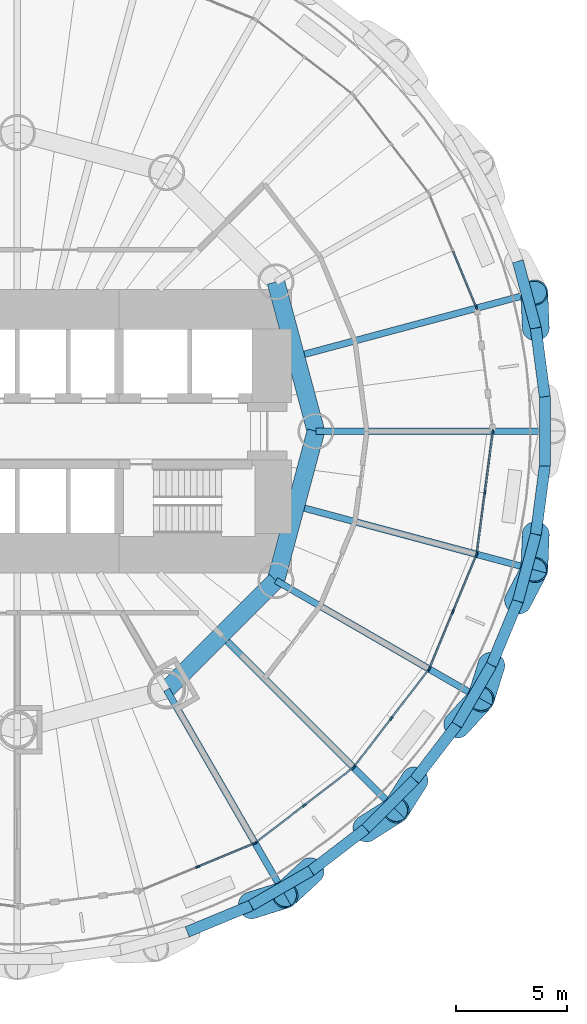
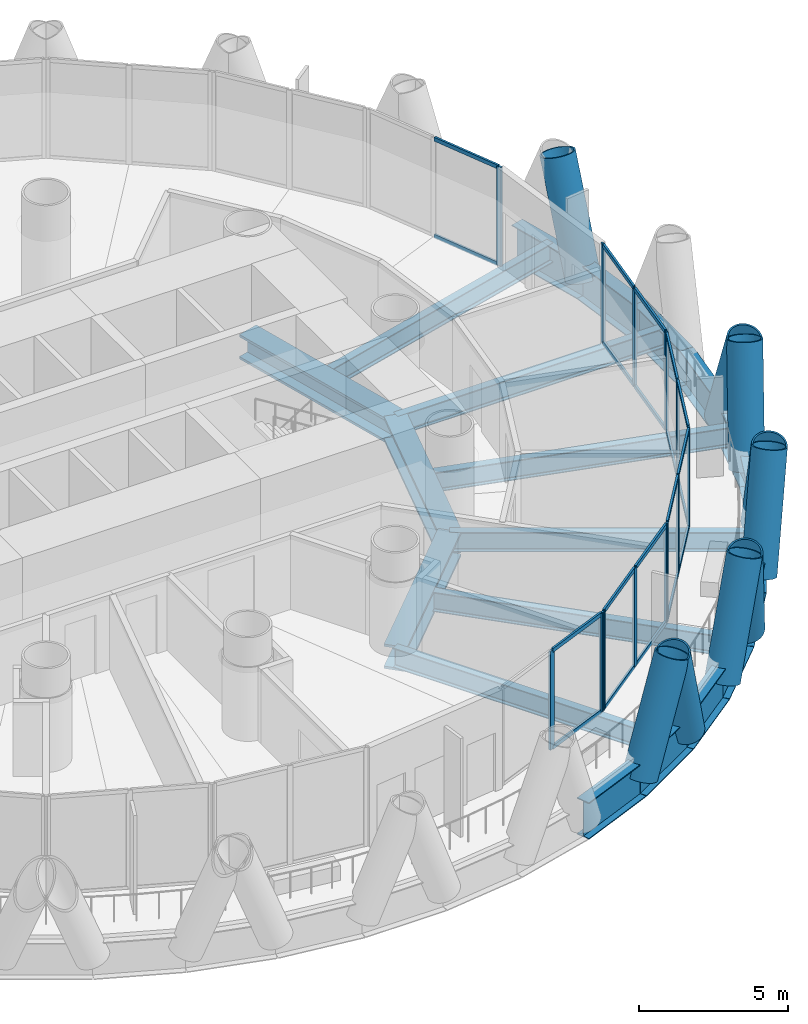
# One storey, part 4 of 16: 44 members, 21 beams, 6 elements without a shape of their own.
"""IFC4 building model written with IfcOpenShell, lengths in metres."""

import ifcopenshell
import ifcopenshell.guid

model = None  # the IFC model being written
_history = None  # IfcOwnerHistory: only IFC2X3 demands one
_inside = {}  # id of a spatial element -> (the spatial element, [elements in it])
_under = {}  # id of a project, library or spatial element -> (it, [spatial elements below it])
_declared = {}  # id of a project -> (the project, [libraries it declares])
_typed = {}  # id of a type object -> (the type object, [elements of that type])
_made_of = {}  # id of a material, layer set ... -> (it, [elements and type objects made of it])


def new_model(schema):
    """Start an empty IFC model of exactly this schema.

    Asked for "IFC4X3", IfcOpenShell would pick the latest addendum, in which some entities
    have other attributes; the version numbers below select the first issue.
    IFC2X3 requires an IfcOwnerHistory on every rooted entity: one is made here for all.
    """
    global model, _history
    if schema == "IFC4X3":
        model = ifcopenshell.file(schema_version=(4, 3, 0, 0))
    else:
        model = ifcopenshell.file(schema=schema)
    _inside.clear()
    _under.clear()
    _declared.clear()
    _typed.clear()
    _made_of.clear()
    _history = None
    if model.schema == "IFC2X3":
        org = make("IfcOrganization", Name="unknown")
        user = make(
            "IfcPersonAndOrganization",
            ThePerson=make("IfcPerson", FamilyName="unknown"),
            TheOrganization=org,
        )
        app = make(
            "IfcApplication",
            ApplicationDeveloper=org,
            Version="unknown",
            ApplicationFullName="unknown",
            ApplicationIdentifier="unknown",
        )
        _history = make(
            "IfcOwnerHistory",
            OwningUser=user,
            OwningApplication=app,
            ChangeAction="ADDED",
            CreationDate=0,
        )
    return model


def make(cls, **values):
    """One entity of the class cls with the attributes given. An attribute that is None is left unset."""
    return model.create_entity(
        cls, **{name: value for name, value in values.items() if value is not None}
    )


def rooted(cls, **values):
    """An entity with a GlobalId (a new one), such as an element, a storey or a relation."""
    return make(cls, GlobalId=ifcopenshell.guid.new(), OwnerHistory=_history, **values)


def si_unit(unit_type, name, prefix=None):
    """IfcSIUnit, for example si_unit("LENGTHUNIT", "METRE", prefix="MILLI")."""
    return make("IfcSIUnit", UnitType=unit_type, Prefix=prefix, Name=name)


def assignment(units):
    """IfcUnitAssignment: the units of a project."""
    return None if units is None else make("IfcUnitAssignment", Units=units)


def point(xyz):
    """IfcCartesianPoint."""
    return None if xyz is None else make("IfcCartesianPoint", Coordinates=xyz)


def direction(xyz):
    """IfcDirection."""
    return None if xyz is None else make("IfcDirection", DirectionRatios=xyz)


def frame(location, z_axis=None, x_axis=None):
    """IfcAxis2Placement3D, a coordinate frame: its origin and axes. An axis left out is left unset."""
    return make(
        "IfcAxis2Placement3D",
        Location=point(location),
        Axis=direction(z_axis),
        RefDirection=direction(x_axis),
    )


def frame_2d(location, x_axis=None):
    """IfcAxis2Placement2D, a coordinate frame in the plane: its origin and x axis."""
    return make(
        "IfcAxis2Placement2D", Location=point(location), RefDirection=direction(x_axis)
    )


def origin():
    """The frame at (0, 0, 0) with its axes left unset."""
    return frame((0.0, 0.0, 0.0))


def origin_2d():
    """The frame at (0, 0) in the plane with its x axis left unset."""
    return frame_2d((0.0, 0.0))


def place(relative_to, where):
    """IfcLocalPlacement: puts the frame where relative to a parent placement (None: the world)."""
    return make(
        "IfcLocalPlacement", PlacementRelTo=relative_to, RelativePlacement=where
    )


def context(
    kind, dimensions, precision=None, world=None, true_north=None, identifier=None
):
    """IfcGeometricRepresentationContext, for example the 3D "Model" context."""
    return make(
        "IfcGeometricRepresentationContext",
        ContextIdentifier=identifier,
        ContextType=kind,
        CoordinateSpaceDimension=dimensions,
        Precision=precision,
        WorldCoordinateSystem=world,
        TrueNorth=true_north,
    )


def subcontext(parent, identifier, kind, view, scale=None):
    """IfcGeometricRepresentationSubContext, for example "Body" below "Model"."""
    return make(
        "IfcGeometricRepresentationSubContext",
        ContextIdentifier=identifier,
        ContextType=kind,
        ParentContext=parent,
        TargetScale=scale,
        TargetView=view,
    )


def project(units=None, contexts=None):
    """IfcProject with its units and contexts."""
    return rooted(
        "IfcProject",
        Name="project",
        RepresentationContexts=contexts,
        UnitsInContext=assignment(units),
    )


def spatial(cls, under=None, at=None, **own):
    """A site, building, storey or space (cls), placed at a placement, below another one or the project."""
    s = rooted(cls, ObjectPlacement=at, **own)
    if under is not None:
        _under.setdefault(under.id(), (under, []))[1].append(s)
    return s


def profile(cls, at=None, kind="AREA", **sizes):
    """A parametric profile (cls). Its sizes go by their IFC names, for example OverallWidth=200.0."""
    return make(cls, ProfileType=kind, Position=at, **sizes)


def rectangle(**sizes):
    """IfcRectangleProfileDef."""
    return profile("IfcRectangleProfileDef", **sizes)


def hollow_circle(**sizes):
    """IfcCircleHollowProfileDef."""
    return profile("IfcCircleHollowProfileDef", **sizes)


def i_section(**sizes):
    """IfcIShapeProfileDef."""
    return profile("IfcIShapeProfileDef", **sizes)


def extrude(swept, where, along, depth):
    """IfcExtrudedAreaSolid: the profile swept, set in the frame where, extruded along a direction by depth."""
    return make(
        "IfcExtrudedAreaSolid",
        SweptArea=swept,
        Position=where,
        ExtrudedDirection=direction(along),
        Depth=depth,
    )


def shape(context_of_items, identifier, shape_type, items):
    """IfcShapeRepresentation: the items that make up one representation, for example the "Body"."""
    return make(
        "IfcShapeRepresentation",
        ContextOfItems=context_of_items,
        RepresentationIdentifier=identifier,
        RepresentationType=shape_type,
        Items=items,
    )


def material(Name=None, Category=None):
    """IfcMaterial."""
    return make("IfcMaterial", Name=Name, Category=Category)


def material_profile(
    of_material, cross_section, Name=None, Category=None, Priority=None
):
    """IfcMaterialProfile: a cross section and its material."""
    return make(
        "IfcMaterialProfile",
        Name=Name,
        Material=of_material,
        Profile=cross_section,
        Priority=Priority,
        Category=Category,
    )


def profile_set(profiles, Name=None, composite=None):
    """IfcMaterialProfileSet."""
    return make(
        "IfcMaterialProfileSet",
        Name=Name,
        MaterialProfiles=profiles,
        CompositeProfile=composite,
    )


def made_of(thing, what):
    """Note that an element or type object is made of a material, layer set ...; save() writes the relation."""
    if what is not None:
        _made_of.setdefault(what.id(), (what, []))[1].append(thing)
    return thing


def type_object(cls, material=None, **own):
    """A type object (cls), such as IfcWallType, which elements share."""
    return made_of(rooted(cls, **own), material)


def element(
    cls,
    number,
    at=None,
    inside=None,
    cuts=None,
    type_object=None,
    material=None,
    context=None,
    identifier="Body",
    shape_type=None,
    held_by="IfcProductDefinitionShape",
    body=None,
    shapes=None,
    **own,
):
    """One element of the class cls, such as IfcWall. Its Tag is "e" and its number.

    at: its placement. inside: the storey or other place that contains it. cuts: it is an
    opening in that element (IfcRelVoidsElement). A single representation is given by context,
    identifier, shape_type and body (its items); several are given by shapes. held_by: the class
    of the entity that holds the representations. save() writes the other relations.
    """
    e = rooted(cls, Tag="e%d" % number, ObjectPlacement=at, **own)
    if body is not None:
        shapes = [shape(context, identifier, shape_type, body)]
    if shapes is not None:
        e.Representation = make(held_by, Representations=shapes)
    if inside is not None:
        _inside.setdefault(inside.id(), (inside, []))[1].append(e)
    if cuts is not None:
        rooted(
            "IfcRelVoidsElement", RelatingBuildingElement=cuts, RelatedOpeningElement=e
        )
    if type_object is not None:
        _typed.setdefault(type_object.id(), (type_object, []))[1].append(e)
    return made_of(e, material)


def aggregate(whole, parts):
    """IfcRelAggregates: a whole, such as a stair, and the parts it consists of."""
    return rooted("IfcRelAggregates", RelatingObject=whole, RelatedObjects=parts)


def save(model, path):
    """Write the relations noted so far, then the file.

    IfcRelAggregates (storeys below a building ...), IfcRelContainedInSpatialStructure (elements
    in a storey), IfcRelDefinesByType, IfcRelAssociatesMaterial and IfcRelDeclares: one each for
    every whole, place, type object, material and project.
    """
    for whole, parts in _under.values():
        aggregate(whole, parts)
    for where, things in _inside.values():
        rooted(
            "IfcRelContainedInSpatialStructure",
            RelatedElements=things,
            RelatingStructure=where,
        )
    for kind, things in _typed.values():
        rooted("IfcRelDefinesByType", RelatedObjects=things, RelatingType=kind)
    for what, things in _made_of.values():
        rooted("IfcRelAssociatesMaterial", RelatedObjects=things, RelatingMaterial=what)
    for by, libraries in _declared.values():
        rooted("IfcRelDeclares", RelatingContext=by, RelatedDefinitions=libraries)
    model.write(path)


model = new_model("IFC4")

# Units and contexts
model_context = context("Model", 3, precision=1e-05, world=origin(), true_north=direction((0.0, 1.0)))
body_context = subcontext(model_context, "Body", "Model", "MODEL_VIEW")
ifc_project = project(units=[si_unit("LENGTHUNIT", "METRE"), si_unit("AREAUNIT", "SQUARE_METRE"), si_unit("VOLUMEUNIT", "CUBIC_METRE"), si_unit("PLANEANGLEUNIT", "RADIAN"), si_unit("MASSUNIT", "GRAM", prefix="KILO")], contexts=[model_context])

# Site, building, storey
site_placement = place(None, origin())
site = spatial("IfcSite", under=ifc_project, at=site_placement, CompositionType="ELEMENT")
building_placement = place(site_placement, origin())
building = spatial("IfcBuilding", under=site, at=building_placement, Name="Qaws Media Tower", CompositionType="ELEMENT")
storey_placement = place(building_placement, frame((0.0, 0.0, 38.60009765625)))
storey = spatial("IfcBuildingStorey", under=building, at=storey_placement, Name="L07", CompositionType="ELEMENT", Elevation=38.60009765625)

# Curtain wall, member
ifc_material_1 = material(Name="Aluminium and clear glass", Category="aluminium")
curtain_wall_type = type_object("IfcCurtainWallType", Name="Unitised curtain wall CW-A", PredefinedType="NOTDEFINED", material=ifc_material_1)
curtain_wall_1_placement = place(storey_placement, origin())
curtain_wall_1 = element("IfcCurtainWall", 1, at=curtain_wall_1_placement, inside=storey, type_object=curtain_wall_type, Name="CWA curtain wall L07-02", PredefinedType="NOTDEFINED")
ifc_material_2 = material(Name="Aluminium mullion", Category="aluminium")
ifc_material_profile_1 = material_profile(ifc_material_2, rectangle(XDim=0.080078125, YDim=0.199951171875, at=origin_2d()), Name="80x200")
ifc_profile_set_1 = profile_set([ifc_material_profile_1], Name="Aluminium mullion")
member_type_1 = type_object("IfcMemberType", Name="Curtain wall mullion 80x200", PredefinedType="MULLION", material=ifc_profile_set_1)
member_1_placement = place(storey_placement, frame((80.752197265625, 55.6015625, 0.0), z_axis=(0.0, 0.0, 1.0), x_axis=(-0.923879550051, -0.382683390022, 0.0)))
member_1 = element("IfcMember", 2, at=member_1_placement, type_object=member_type_1, Name="CWA mullion 1", PredefinedType="MULLION", context=body_context, shape_type="SweptSolid", body=[
    extrude(rectangle(XDim=0.080078125, YDim=0.199951171875, at=origin_2d()), origin(), (0.0, 0.0, 1.0), 4.039794921875),
])

# Curtain wall, members
curtain_wall_2_placement = place(storey_placement, origin())
curtain_wall_2 = element("IfcCurtainWall", 3, at=curtain_wall_2_placement, inside=storey, type_object=curtain_wall_type, Name="CWA curtain wall L07-20", PredefinedType="NOTDEFINED")
member_2_placement = place(storey_placement, frame((68.1572265625, 30.306640625, 0.0), z_axis=(0.0, 0.0, 1.0), x_axis=(-0.382683390022, 0.923879550051, 0.0)))
member_2 = element("IfcMember", 4, at=member_2_placement, type_object=member_type_1, Name="CWA mullion 2", PredefinedType="MULLION", context=body_context, shape_type="SweptSolid", body=[
    extrude(rectangle(XDim=0.080078125, YDim=0.199951171875, at=origin_2d()), origin(), (0.0, 0.0, 1.0), 4.039794921875),
])
member_3_placement = place(storey_placement, frame((70.713134765625, 31.365234375, 0.0), z_axis=(0.0, 0.0, 1.0), x_axis=(-0.382683390022, 0.923879550051, 0.0)))
member_3 = element("IfcMember", 5, at=member_3_placement, type_object=member_type_1, Name="CWA mullion 3", PredefinedType="MULLION", context=body_context, shape_type="SweptSolid", body=[
    extrude(rectangle(XDim=0.080078125, YDim=0.199951171875, at=origin_2d()), origin(), (0.0, 0.0, 1.0), 4.039794921875),
])

curtain_wall_3_placement = place(storey_placement, origin())
curtain_wall_3 = element("IfcCurtainWall", 6, at=curtain_wall_3_placement, inside=storey, type_object=curtain_wall_type, Name="CWA curtain wall L07-21", PredefinedType="NOTDEFINED")
member_4_placement = place(storey_placement, frame((70.78173828125, 31.40478515625, 0.0), z_axis=(0.0, 0.0, 1.0), x_axis=(-0.608761368139, 0.793353386998, 0.0)))
member_4 = element("IfcMember", 7, at=member_4_placement, type_object=member_type_1, Name="CWA mullion 1", PredefinedType="MULLION", context=body_context, shape_type="SweptSolid", body=[
    extrude(rectangle(XDim=0.080078125, YDim=0.199951171875, at=origin_2d()), origin(), (0.0, 0.0, 1.0), 4.039794921875),
])
member_5_placement = place(storey_placement, frame((72.976318359375, 33.0888671875, 0.0), z_axis=(0.0, 0.0, 1.0), x_axis=(-0.608761368139, 0.793353386998, 0.0)))
member_5 = element("IfcMember", 8, at=member_5_placement, type_object=member_type_1, Name="CWA mullion 2", PredefinedType="MULLION", context=body_context, shape_type="SweptSolid", body=[
    extrude(rectangle(XDim=0.080078125, YDim=0.199951171875, at=origin_2d()), origin(), (0.0, 0.0, 1.0), 4.039794921875),
])
member_6_placement = place(storey_placement, frame((75.171142578125, 34.77294921875, 0.0), z_axis=(0.0, 0.0, 1.0), x_axis=(-0.608761368139, 0.793353386998, 0.0)))
member_6 = element("IfcMember", 9, at=member_6_placement, type_object=member_type_1, Name="CWA mullion 3", PredefinedType="MULLION", context=body_context, shape_type="SweptSolid", body=[
    extrude(rectangle(XDim=0.080078125, YDim=0.199951171875, at=origin_2d()), origin(), (0.0, 0.0, 1.0), 4.039794921875),
])

curtain_wall_4_placement = place(storey_placement, origin())
curtain_wall_4 = element("IfcCurtainWall", 10, at=curtain_wall_4_placement, inside=storey, type_object=curtain_wall_type, Name="CWA curtain wall L07-22", PredefinedType="NOTDEFINED")
member_7_placement = place(storey_placement, frame((75.22705078125, 34.828857421875, 0.0), z_axis=(0.0, 0.0, 1.0), x_axis=(-0.793353386998, 0.608761368139, 0.0)))
member_7 = element("IfcMember", 11, at=member_7_placement, type_object=member_type_1, Name="CWA mullion 1", PredefinedType="MULLION", context=body_context, shape_type="SweptSolid", body=[
    extrude(rectangle(XDim=0.080078125, YDim=0.199951171875, at=origin_2d()), origin(), (0.0, 0.0, 1.0), 4.039794921875),
])
member_8_placement = place(storey_placement, frame((76.9111328125, 37.023681640625, 0.0), z_axis=(0.0, 0.0, 1.0), x_axis=(-0.793353386998, 0.608761368139, 0.0)))
member_8 = element("IfcMember", 12, at=member_8_placement, type_object=member_type_1, Name="CWA mullion 2", PredefinedType="MULLION", context=body_context, shape_type="SweptSolid", body=[
    extrude(rectangle(XDim=0.080078125, YDim=0.199951171875, at=origin_2d()), origin(), (0.0, 0.0, 1.0), 4.039794921875),
])
member_9_placement = place(storey_placement, frame((78.59521484375, 39.21826171875, 0.0), z_axis=(0.0, 0.0, 1.0), x_axis=(-0.793353386998, 0.608761368139, 0.0)))
member_9 = element("IfcMember", 13, at=member_9_placement, type_object=member_type_1, Name="CWA mullion 3", PredefinedType="MULLION", context=body_context, shape_type="SweptSolid", body=[
    extrude(rectangle(XDim=0.080078125, YDim=0.199951171875, at=origin_2d()), origin(), (0.0, 0.0, 1.0), 4.039794921875),
])

curtain_wall_5_placement = place(storey_placement, origin())
curtain_wall_5 = element("IfcCurtainWall", 14, at=curtain_wall_5_placement, inside=storey, type_object=curtain_wall_type, Name="CWA curtain wall L07-23", PredefinedType="NOTDEFINED")
member_10_placement = place(storey_placement, frame((78.634765625, 39.286865234375, 0.0), z_axis=(0.0, 0.0, 1.0), x_axis=(-0.923879550051, 0.382683390022, 0.0)))
member_10 = element("IfcMember", 15, at=member_10_placement, type_object=member_type_1, Name="CWA mullion 1", PredefinedType="MULLION", context=body_context, shape_type="SweptSolid", body=[
    extrude(rectangle(XDim=0.080078125, YDim=0.199951171875, at=origin_2d()), origin(), (0.0, 0.0, 1.0), 4.039794921875),
])
member_11_placement = place(storey_placement, frame((79.693359375, 41.8427734375, 0.0), z_axis=(0.0, 0.0, 1.0), x_axis=(-0.923879550051, 0.382683390022, 0.0)))
member_11 = element("IfcMember", 16, at=member_11_placement, type_object=member_type_1, Name="CWA mullion 2", PredefinedType="MULLION", context=body_context, shape_type="SweptSolid", body=[
    extrude(rectangle(XDim=0.080078125, YDim=0.199951171875, at=origin_2d()), origin(), (0.0, 0.0, 1.0), 4.039794921875),
])
member_12_placement = place(storey_placement, frame((80.752197265625, 44.3984375, 0.0), z_axis=(0.0, 0.0, 1.0), x_axis=(-0.923879550051, 0.382683390022, 0.0)))
member_12 = element("IfcMember", 17, at=member_12_placement, type_object=member_type_1, Name="CWA mullion 3", PredefinedType="MULLION", context=body_context, shape_type="SweptSolid", body=[
    extrude(rectangle(XDim=0.080078125, YDim=0.199951171875, at=origin_2d()), origin(), (0.0, 0.0, 1.0), 4.039794921875),
])

curtain_wall_6_placement = place(storey_placement, origin())
curtain_wall_6 = element("IfcCurtainWall", 18, at=curtain_wall_6_placement, inside=storey, type_object=curtain_wall_type, Name="CWA curtain wall L07-24", PredefinedType="NOTDEFINED")
member_13_placement = place(storey_placement, frame((80.772705078125, 44.47509765625, 0.0), z_axis=(0.0, 0.0, 1.0), x_axis=(-0.991444853833, 0.130526249496, 0.0)))
member_13 = element("IfcMember", 19, at=member_13_placement, type_object=member_type_1, Name="CWA mullion 1", PredefinedType="MULLION", context=body_context, shape_type="SweptSolid", body=[
    extrude(rectangle(XDim=0.080078125, YDim=0.199951171875, at=origin_2d()), origin(), (0.0, 0.0, 1.0), 4.039794921875),
])
member_14_placement = place(storey_placement, frame((81.1337890625, 47.2177734375, 0.0), z_axis=(0.0, 0.0, 1.0), x_axis=(-0.991444853833, 0.130526249496, 0.0)))
member_14 = element("IfcMember", 20, at=member_14_placement, type_object=member_type_1, Name="CWA mullion 2", PredefinedType="MULLION", context=body_context, shape_type="SweptSolid", body=[
    extrude(rectangle(XDim=0.080078125, YDim=0.199951171875, at=origin_2d()), origin(), (0.0, 0.0, 1.0), 4.039794921875),
])
member_15_placement = place(storey_placement, frame((81.494873046875, 49.96044921875, 0.0), z_axis=(0.0, 0.0, 1.0), x_axis=(-0.991444853833, 0.130526249496, 0.0)))
member_15 = element("IfcMember", 21, at=member_15_placement, type_object=member_type_1, Name="CWA mullion 3", PredefinedType="MULLION", context=body_context, shape_type="SweptSolid", body=[
    extrude(rectangle(XDim=0.080078125, YDim=0.199951171875, at=origin_2d()), origin(), (0.0, 0.0, 1.0), 4.039794921875),
])

# Member
ifc_material_3 = material(Name="Aluminium transom", Category="aluminium")
ifc_material_profile_2 = material_profile(ifc_material_3, rectangle(XDim=0.080078125, YDim=0.159912109375, at=origin_2d()), Name="80x160")
ifc_profile_set_2 = profile_set([ifc_material_profile_2], Name="Aluminium transom")
member_type_2 = type_object("IfcMemberType", Name="Curtain wall transom 80x160", PredefinedType="USERDEFINED", material=ifc_profile_set_2)
member_16_placement = place(storey_placement, frame((80.73681640625, 55.638427734375, 0.039794921875), z_axis=(-0.382691571386, 0.923876161176, 0.0), x_axis=(-0.923876161176, -0.382691571386, 0.0)))
member_16 = element("IfcMember", 22, at=member_16_placement, type_object=member_type_2, Name="CWA transom 1.1", ObjectType="TRANSOM", PredefinedType="USERDEFINED", context=body_context, shape_type="SweptSolid", body=[
    extrude(rectangle(XDim=0.080078125, YDim=0.159912109375, at=origin_2d()), origin(), (0.0, 0.0, 1.0), 2.6865234375),
])

member_17_placement = place(storey_placement, frame((80.73681640625, 55.638427734375, 4.0), z_axis=(-0.382691571386, 0.923876161176, 0.0), x_axis=(-0.923876161176, -0.382691571386, 0.0)))
member_17 = element("IfcMember", 23, at=member_17_placement, type_object=member_type_2, Name="CWA transom 1.2", ObjectType="TRANSOM", PredefinedType="USERDEFINED", context=body_context, shape_type="SweptSolid", body=[
    extrude(rectangle(XDim=0.080078125, YDim=0.159912109375, at=origin_2d()), origin(), (0.0, 0.0, 1.0), 2.6865234375),
])

aggregate(curtain_wall_1, [member_1, member_16, member_17])

member_18_placement = place(storey_placement, frame((68.1943359375, 30.32177734375, 0.039794921875), z_axis=(0.923862850009, 0.382723705006, 0.0), x_axis=(-0.382723705006, 0.923862850009, 0.0)))
member_18 = element("IfcMember", 24, at=member_18_placement, type_object=member_type_2, Name="CWA transom 2.1", ObjectType="TRANSOM", PredefinedType="USERDEFINED", context=body_context, shape_type="SweptSolid", body=[
    extrude(rectangle(XDim=0.080078125, YDim=0.159912109375, at=origin_2d()), origin(), (0.0, 0.0, 1.0), 2.686279296875),
])

member_19_placement = place(storey_placement, frame((68.1943359375, 30.32177734375, 4.0), z_axis=(0.923862850009, 0.382723705006, 0.0), x_axis=(-0.382723705006, 0.923862850009, 0.0)))
member_19 = element("IfcMember", 25, at=member_19_placement, type_object=member_type_2, Name="CWA transom 2.2", ObjectType="TRANSOM", PredefinedType="USERDEFINED", context=body_context, shape_type="SweptSolid", body=[
    extrude(rectangle(XDim=0.080078125, YDim=0.159912109375, at=origin_2d()), origin(), (0.0, 0.0, 1.0), 2.686279296875),
])

aggregate(curtain_wall_2, [member_2, member_3, member_18, member_19])

member_20_placement = place(storey_placement, frame((70.8134765625, 31.42919921875, 0.039794921875), z_axis=(0.793353220812, 0.608761584717, 0.0), x_axis=(-0.608761584717, 0.793353220812, 0.0)))
member_20 = element("IfcMember", 26, at=member_20_placement, type_object=member_type_2, Name="CWA transom 1.1", ObjectType="TRANSOM", PredefinedType="USERDEFINED", context=body_context, shape_type="SweptSolid", body=[
    extrude(rectangle(XDim=0.080078125, YDim=0.159912109375, at=origin_2d()), origin(), (0.0, 0.0, 1.0), 2.686279296875),
])

member_21_placement = place(storey_placement, frame((70.8134765625, 31.42919921875, 4.0), z_axis=(0.793353220812, 0.608761584717, 0.0), x_axis=(-0.608761584717, 0.793353220812, 0.0)))
member_21 = element("IfcMember", 27, at=member_21_placement, type_object=member_type_2, Name="CWA transom 1.2", ObjectType="TRANSOM", PredefinedType="USERDEFINED", context=body_context, shape_type="SweptSolid", body=[
    extrude(rectangle(XDim=0.080078125, YDim=0.159912109375, at=origin_2d()), origin(), (0.0, 0.0, 1.0), 2.686279296875),
])

member_22_placement = place(storey_placement, frame((73.008056640625, 33.11328125, 0.039794921875), z_axis=(0.793386899068, 0.608717691863, 0.0), x_axis=(-0.608717691863, 0.793386899068, 0.0)))
member_22 = element("IfcMember", 28, at=member_22_placement, type_object=member_type_2, Name="CWA transom 2.1", ObjectType="TRANSOM", PredefinedType="USERDEFINED", context=body_context, shape_type="SweptSolid", body=[
    extrude(rectangle(XDim=0.080078125, YDim=0.159912109375, at=origin_2d()), origin(), (0.0, 0.0, 1.0), 2.686279296875),
])

member_23_placement = place(storey_placement, frame((73.008056640625, 33.11328125, 4.0), z_axis=(0.793386899068, 0.608717691863, 0.0), x_axis=(-0.608717691863, 0.793386899068, 0.0)))
member_23 = element("IfcMember", 29, at=member_23_placement, type_object=member_type_2, Name="CWA transom 2.2", ObjectType="TRANSOM", PredefinedType="USERDEFINED", context=body_context, shape_type="SweptSolid", body=[
    extrude(rectangle(XDim=0.080078125, YDim=0.159912109375, at=origin_2d()), origin(), (0.0, 0.0, 1.0), 2.686279296875),
])

aggregate(curtain_wall_3, [member_4, member_5, member_6, member_20, member_21, member_22, member_23])

member_24_placement = place(storey_placement, frame((75.25146484375, 34.860595703125, 0.039794921875), z_axis=(0.608717691863, 0.793386899068, 0.0), x_axis=(-0.793386899068, 0.608717691863, 0.0)))
member_24 = element("IfcMember", 30, at=member_24_placement, type_object=member_type_2, Name="CWA transom 1.1", ObjectType="TRANSOM", PredefinedType="USERDEFINED", context=body_context, shape_type="SweptSolid", body=[
    extrude(rectangle(XDim=0.080078125, YDim=0.159912109375, at=origin_2d()), origin(), (0.0, 0.0, 1.0), 2.686279296875),
])

member_25_placement = place(storey_placement, frame((75.25146484375, 34.860595703125, 4.0), z_axis=(0.608717691863, 0.793386899068, 0.0), x_axis=(-0.793386899068, 0.608717691863, 0.0)))
member_25 = element("IfcMember", 31, at=member_25_placement, type_object=member_type_2, Name="CWA transom 1.2", ObjectType="TRANSOM", PredefinedType="USERDEFINED", context=body_context, shape_type="SweptSolid", body=[
    extrude(rectangle(XDim=0.080078125, YDim=0.159912109375, at=origin_2d()), origin(), (0.0, 0.0, 1.0), 2.686279296875),
])

member_26_placement = place(storey_placement, frame((76.935546875, 37.055419921875, 0.039794921875), z_axis=(0.608761584717, 0.793353220812, 0.0), x_axis=(-0.793353220812, 0.608761584717, 0.0)))
member_26 = element("IfcMember", 32, at=member_26_placement, type_object=member_type_2, Name="CWA transom 2.1", ObjectType="TRANSOM", PredefinedType="USERDEFINED", context=body_context, shape_type="SweptSolid", body=[
    extrude(rectangle(XDim=0.080078125, YDim=0.159912109375, at=origin_2d()), origin(), (0.0, 0.0, 1.0), 2.686279296875),
])

member_27_placement = place(storey_placement, frame((76.935546875, 37.055419921875, 4.0), z_axis=(0.608761584717, 0.793353220812, 0.0), x_axis=(-0.793353220812, 0.608761584717, 0.0)))
member_27 = element("IfcMember", 33, at=member_27_placement, type_object=member_type_2, Name="CWA transom 2.2", ObjectType="TRANSOM", PredefinedType="USERDEFINED", context=body_context, shape_type="SweptSolid", body=[
    extrude(rectangle(XDim=0.080078125, YDim=0.159912109375, at=origin_2d()), origin(), (0.0, 0.0, 1.0), 2.686279296875),
])

aggregate(curtain_wall_4, [member_7, member_8, member_9, member_24, member_25, member_26, member_27])

member_28_placement = place(storey_placement, frame((78.650146484375, 39.323974609375, 0.039794921875), z_axis=(0.382723705006, 0.923862850009, 0.0), x_axis=(-0.923862850009, 0.382723705006, 0.0)))
member_28 = element("IfcMember", 34, at=member_28_placement, type_object=member_type_2, Name="CWA transom 1.1", ObjectType="TRANSOM", PredefinedType="USERDEFINED", context=body_context, shape_type="SweptSolid", body=[
    extrude(rectangle(XDim=0.080078125, YDim=0.159912109375, at=origin_2d()), origin(), (0.0, 0.0, 1.0), 2.686279296875),
])

member_29_placement = place(storey_placement, frame((78.650146484375, 39.323974609375, 4.0), z_axis=(0.382723705006, 0.923862850009, 0.0), x_axis=(-0.923862850009, 0.382723705006, 0.0)))
member_29 = element("IfcMember", 35, at=member_29_placement, type_object=member_type_2, Name="CWA transom 1.2", ObjectType="TRANSOM", PredefinedType="USERDEFINED", context=body_context, shape_type="SweptSolid", body=[
    extrude(rectangle(XDim=0.080078125, YDim=0.159912109375, at=origin_2d()), origin(), (0.0, 0.0, 1.0), 2.686279296875),
])

member_30_placement = place(storey_placement, frame((79.708740234375, 41.879638671875, 0.039794921875), z_axis=(0.382691571386, 0.923876161176, 0.0), x_axis=(-0.923876161176, 0.382691571386, 0.0)))
member_30 = element("IfcMember", 36, at=member_30_placement, type_object=member_type_2, Name="CWA transom 2.1", ObjectType="TRANSOM", PredefinedType="USERDEFINED", context=body_context, shape_type="SweptSolid", body=[
    extrude(rectangle(XDim=0.080078125, YDim=0.159912109375, at=origin_2d()), origin(), (0.0, 0.0, 1.0), 2.6865234375),
])

member_31_placement = place(storey_placement, frame((79.708740234375, 41.879638671875, 4.0), z_axis=(0.382691571386, 0.923876161176, 0.0), x_axis=(-0.923876161176, 0.382691571386, 0.0)))
member_31 = element("IfcMember", 37, at=member_31_placement, type_object=member_type_2, Name="CWA transom 2.2", ObjectType="TRANSOM", PredefinedType="USERDEFINED", context=body_context, shape_type="SweptSolid", body=[
    extrude(rectangle(XDim=0.080078125, YDim=0.159912109375, at=origin_2d()), origin(), (0.0, 0.0, 1.0), 2.6865234375),
])

aggregate(curtain_wall_5, [member_10, member_11, member_12, member_28, member_29, member_30, member_31])

member_32_placement = place(storey_placement, frame((80.77783203125, 44.5146484375, 0.039794921875), z_axis=(0.130508584607, 0.991447179301, 0.0), x_axis=(-0.991447179301, 0.130508584607, 0.0)))
member_32 = element("IfcMember", 38, at=member_32_placement, type_object=member_type_2, Name="CWA transom 1.1", ObjectType="TRANSOM", PredefinedType="USERDEFINED", context=body_context, shape_type="SweptSolid", body=[
    extrude(rectangle(XDim=0.080078125, YDim=0.159912109375, at=origin_2d()), origin(), (0.0, 0.0, 1.0), 2.686279296875),
])

member_33_placement = place(storey_placement, frame((80.77783203125, 44.5146484375, 4.0), z_axis=(0.130508584607, 0.991447179301, 0.0), x_axis=(-0.991447179301, 0.130508584607, 0.0)))
member_33 = element("IfcMember", 39, at=member_33_placement, type_object=member_type_2, Name="CWA transom 1.2", ObjectType="TRANSOM", PredefinedType="USERDEFINED", context=body_context, shape_type="SweptSolid", body=[
    extrude(rectangle(XDim=0.080078125, YDim=0.159912109375, at=origin_2d()), origin(), (0.0, 0.0, 1.0), 2.686279296875),
])

member_34_placement = place(storey_placement, frame((81.138916015625, 47.25732421875, 0.039794921875), z_axis=(0.130508584607, 0.991447179301, 0.0), x_axis=(-0.991447179301, 0.130508584607, 0.0)))
member_34 = element("IfcMember", 40, at=member_34_placement, type_object=member_type_2, Name="CWA transom 2.1", ObjectType="TRANSOM", PredefinedType="USERDEFINED", context=body_context, shape_type="SweptSolid", body=[
    extrude(rectangle(XDim=0.080078125, YDim=0.159912109375, at=origin_2d()), origin(), (0.0, 0.0, 1.0), 2.686279296875),
])

member_35_placement = place(storey_placement, frame((81.138916015625, 47.25732421875, 4.0), z_axis=(0.130508584607, 0.991447179301, 0.0), x_axis=(-0.991447179301, 0.130508584607, 0.0)))
member_35 = element("IfcMember", 41, at=member_35_placement, type_object=member_type_2, Name="CWA transom 2.2", ObjectType="TRANSOM", PredefinedType="USERDEFINED", context=body_context, shape_type="SweptSolid", body=[
    extrude(rectangle(XDim=0.080078125, YDim=0.159912109375, at=origin_2d()), origin(), (0.0, 0.0, 1.0), 2.686279296875),
])

aggregate(curtain_wall_6, [member_13, member_14, member_15, member_32, member_33, member_34, member_35])

# Members
ifc_material_4 = material(Name="Steel S460", Category="steel")
ifc_material_profile_3 = material_profile(ifc_material_4, hollow_circle(Radius=0.609619140625, WallThickness=0.06005859375, at=origin_2d()), Name="CHS 1219x60")
ifc_profile_set_3 = profile_set([ifc_material_profile_3], Name="Steel S460")
member_type_3 = type_object("IfcMemberType", Name="Diagrid member CHS 1219x60", PredefinedType="USERDEFINED", material=ifc_profile_set_3)
for number, where, z_axis, x_axis, name in (
    (42, (83.440673828125, 54.66259765625, -0.91015625), (-0.014501262342, 0.356122760957, 0.934326651936), (-0.999171976829, -0.040686124419, 0.0), "DG1 diagrid L07 A01"),
    (43, (70.57080078125, 28.564697265625, -0.91015625), (0.340210347051, 0.106234265459, 0.934329278468), (-0.298066743437, 0.954545031131, 0.0), "DG1 diagrid L07 A20"),
    (44, (75.75830078125, 32.031005859375, -0.91015625), (0.301158469947, 0.190634126153, 0.934324465015), (-0.534852679706, 0.844945330191, 0.0), "DG1 diagrid L07 A21"),
    (45, (73.278076171875, 30.1279296875, -0.91015625), (-0.262058165968, -0.241528013276, 0.93433919775), (0.677716564176, -0.735323234124, 0.0), "DG1 diagrid L07 B21"),
    (46, (79.8720703125, 36.721923828125, -0.91015625), (0.241528013276, 0.262058165968, 0.93433919775), (-0.735323234124, 0.677716564176, 0.0), "DG1 diagrid L07 A22"),
    (47, (77.968994140625, 34.24169921875, -0.91015625), (-0.190634126153, -0.301158469947, 0.934324465015), (0.844945330191, -0.534852679706, 0.0), "DG1 diagrid L07 B22"),
    (48, (82.631591796875, 42.317626953125, -0.91015625), (0.165488673092, 0.315661361343, 0.934329387333), (-0.885667434492, 0.464320143307, 0.0), "DG1 diagrid L07 A23"),
    (49, (81.435302734375, 39.42919921875, -0.91015625), (-0.106234265459, -0.340210347051, 0.934329278468), (0.954545031131, -0.298066743437, 0.0), "DG1 diagrid L07 B23"),
    (50, (83.440673828125, 45.33740234375, -0.91015625), (-0.014501262342, -0.356122760957, 0.934326651936), (0.999171976829, -0.040686124419, 0.0), "DG1 diagrid L07 B24"),
):
    element("IfcMember", number, at=place(storey_placement, frame(where, z_axis=z_axis, x_axis=x_axis)), inside=storey, type_object=member_type_3, Name=name, ObjectType="DIAGRID", PredefinedType="USERDEFINED", context=body_context, shape_type="SweptSolid", body=[
        extrude(hollow_circle(Radius=0.609619140625, WallThickness=0.06005859375, at=origin_2d()), origin(), (0.0, 0.0, 1.0), 4.4951171875),
    ])

# Beams
ifc_material_5 = material(Name="Steel S460", Category="steel")
ifc_material_profile_4 = material_profile(ifc_material_5, i_section(OverallWidth=0.5, OverallDepth=1.5, WebThickness=0.02001953125, FlangeThickness=0.0400390625, at=origin_2d()), Name="PG 1500x500")
ifc_profile_set_4 = profile_set([ifc_material_profile_4], Name="Steel S460")
beam_type_1 = type_object("IfcBeamType", Name="Edge ring beam PG 1500x500", PredefinedType="BEAM", material=ifc_profile_set_4)
for number, where, z_axis, x_axis, name in (
    (51, (83.848876953125, 51.563232421875, -0.91015625), (-0.130577743855, 0.991438073109, 0.0), (-0.991438073109, -0.130577743855, 0.0), "RB4 edge ring beam L07-01"),
    (52, (83.440673828125, 54.66259765625, -0.91015625), (-0.258799841546, 0.965930971662, 0.0), (-0.965930971662, -0.258799841546, 0.0), "RB4 edge ring beam L07-02"),
):
    element("IfcBeam", number, at=place(storey_placement, frame(where, z_axis=z_axis, x_axis=x_axis)), inside=storey, type_object=beam_type_1, Name=name, PredefinedType="BEAM", context=body_context, shape_type="SweptSolid", body=[
        extrude(i_section(OverallWidth=0.5, OverallDepth=1.5, WebThickness=0.02001953125, FlangeThickness=0.0400390625, at=origin_2d()), origin(), (0.0, 0.0, 1.0), 3.126220703125),
    ])
beam_1_placement = place(storey_placement, frame((67.682373046875, 27.368408203125, -0.91015625), z_axis=(0.923895011115, 0.382646061572, 0.0), x_axis=(-0.382646061572, 0.923895011115, 0.0)))
element("IfcBeam", 53, at=beam_1_placement, inside=storey, type_object=beam_type_1, Name="RB4 edge ring beam L07-39", PredefinedType="BEAM", context=body_context, shape_type="SweptSolid", body=[
    extrude(i_section(OverallWidth=0.5, OverallDepth=1.5, WebThickness=0.02001953125, FlangeThickness=0.0400390625, at=origin_2d()), origin(), (0.0, 0.0, 1.0), 3.12646484375),
])
for number, where, z_axis, x_axis, name in (
    (54, (70.57080078125, 28.564697265625, -0.91015625), (0.86599960537, 0.500044681503, 0.0), (-0.500044681503, 0.86599960537, 0.0), "RB4 edge ring beam L07-40"),
    (55, (73.278076171875, 30.1279296875, -0.91015625), (0.793363707434, 0.608747918048, 0.0), (-0.608747918048, 0.793363707434, 0.0), "RB4 edge ring beam L07-41"),
):
    element("IfcBeam", number, at=place(storey_placement, frame(where, z_axis=z_axis, x_axis=x_axis)), inside=storey, type_object=beam_type_1, Name=name, PredefinedType="BEAM", context=body_context, shape_type="SweptSolid", body=[
        extrude(i_section(OverallWidth=0.5, OverallDepth=1.5, WebThickness=0.02001953125, FlangeThickness=0.0400390625, at=origin_2d()), origin(), (0.0, 0.0, 1.0), 3.126220703125),
    ])
beam_2_placement = place(storey_placement, frame((75.75830078125, 32.031005859375, -0.91015625), z_axis=(0.707106781187, 0.707106781187, 0.0), x_axis=(-0.707106781187, 0.707106781187, 0.0)))
element("IfcBeam", 56, at=beam_2_placement, inside=storey, type_object=beam_type_1, Name="RB4 edge ring beam L07-42", PredefinedType="BEAM", context=body_context, shape_type="SweptSolid", body=[
    extrude(i_section(OverallWidth=0.5, OverallDepth=1.5, WebThickness=0.02001953125, FlangeThickness=0.0400390625, at=origin_2d()), origin(), (0.0, 0.0, 1.0), 3.12646484375),
])
for number, where, z_axis, x_axis, name in (
    (57, (77.968994140625, 34.24169921875, -0.91015625), (0.608747918048, 0.793363707434, 0.0), (-0.793363707434, 0.608747918048, 0.0), "RB4 edge ring beam L07-43"),
    (58, (79.8720703125, 36.721923828125, -0.91015625), (0.500044681503, 0.86599960537, 0.0), (-0.86599960537, 0.500044681503, 0.0), "RB4 edge ring beam L07-44"),
):
    element("IfcBeam", number, at=place(storey_placement, frame(where, z_axis=z_axis, x_axis=x_axis)), inside=storey, type_object=beam_type_1, Name=name, PredefinedType="BEAM", context=body_context, shape_type="SweptSolid", body=[
        extrude(i_section(OverallWidth=0.5, OverallDepth=1.5, WebThickness=0.02001953125, FlangeThickness=0.0400390625, at=origin_2d()), origin(), (0.0, 0.0, 1.0), 3.126220703125),
    ])
beam_3_placement = place(storey_placement, frame((81.435302734375, 39.42919921875, -0.91015625), z_axis=(0.382646061572, 0.923895011115, 0.0), x_axis=(-0.923895011115, 0.382646061572, 0.0)))
element("IfcBeam", 59, at=beam_3_placement, inside=storey, type_object=beam_type_1, Name="RB4 edge ring beam L07-45", PredefinedType="BEAM", context=body_context, shape_type="SweptSolid", body=[
    extrude(i_section(OverallWidth=0.5, OverallDepth=1.5, WebThickness=0.02001953125, FlangeThickness=0.0400390625, at=origin_2d()), origin(), (0.0, 0.0, 1.0), 3.12646484375),
])
for number, where, z_axis, x_axis, name in (
    (60, (82.631591796875, 42.317626953125, -0.91015625), (0.258799841546, 0.965930971662, 0.0), (-0.965930971662, 0.258799841546, 0.0), "RB4 edge ring beam L07-46"),
    (61, (83.440673828125, 45.33740234375, -0.91015625), (0.130577743855, 0.991438073109, 0.0), (-0.991438073109, 0.130577743855, 0.0), "RB4 edge ring beam L07-47"),
):
    element("IfcBeam", number, at=place(storey_placement, frame(where, z_axis=z_axis, x_axis=x_axis)), inside=storey, type_object=beam_type_1, Name=name, PredefinedType="BEAM", context=body_context, shape_type="SweptSolid", body=[
        extrude(i_section(OverallWidth=0.5, OverallDepth=1.5, WebThickness=0.02001953125, FlangeThickness=0.0400390625, at=origin_2d()), origin(), (0.0, 0.0, 1.0), 3.126220703125),
    ])
beam_4_placement = place(storey_placement, frame((83.848876953125, 48.436767578125, -0.91015625), z_axis=(0.0, 1.0, 0.0), x_axis=(-1.0, 0.0, 0.0)))
element("IfcBeam", 62, at=beam_4_placement, inside=storey, type_object=beam_type_1, Name="RB4 edge ring beam L07-48", PredefinedType="BEAM", context=body_context, shape_type="SweptSolid", body=[
    extrude(i_section(OverallWidth=0.5, OverallDepth=1.5, WebThickness=0.02001953125, FlangeThickness=0.0400390625, at=origin_2d()), origin(), (0.0, 0.0, 1.0), 3.12646484375),
])
ifc_material_6 = material(Name="Steel S460", Category="steel")
ifc_material_profile_5 = material_profile(ifc_material_6, i_section(OverallWidth=0.800048828125, OverallDepth=1.0, WebThickness=0.0400390625, FlangeThickness=0.10009765625, at=origin_2d()), Name="PG 1000x800")
ifc_profile_set_5 = profile_set([ifc_material_profile_5], Name="Steel S460")
beam_type_2 = type_object("IfcBeamType", Name="Inner ring girder PG 1000x800", PredefinedType="BEAM", material=ifc_profile_set_5)
beam_5_placement = place(storey_placement, frame((73.5, 50.0, -0.66015625), z_axis=(-0.258810593767, 0.965928090778, 0.0), x_axis=(-0.965928090778, -0.258810593767, 0.0)))
element("IfcBeam", 63, at=beam_5_placement, inside=storey, type_object=beam_type_2, Name="B3 inner ring beam L07 I01-I02", PredefinedType="BEAM", context=body_context, shape_type="SweptSolid", body=[
    extrude(i_section(OverallWidth=0.800048828125, OverallDepth=1.0, WebThickness=0.0400390625, FlangeThickness=0.10009765625, at=origin_2d()), origin(), (0.0, 0.0, 1.0), 6.988037109375),
])
beam_6_placement = place(storey_placement, frame((66.75, 38.30859375, -0.66015625), z_axis=(0.707106781187, 0.707106781187, 0.0), x_axis=(-0.707106781187, 0.707106781187, 0.0)))
element("IfcBeam", 64, at=beam_6_placement, inside=storey, type_object=beam_type_2, Name="B3 inner ring beam L07 I11-I12", PredefinedType="BEAM", context=body_context, shape_type="SweptSolid", body=[
    extrude(i_section(OverallWidth=0.800048828125, OverallDepth=1.0, WebThickness=0.0400390625, FlangeThickness=0.10009765625, at=origin_2d()), origin(), (0.0, 0.0, 1.0), 6.98828125),
])
beam_7_placement = place(storey_placement, frame((71.69140625, 43.25, -0.66015625), z_axis=(0.258810593767, 0.965928090778, 0.0), x_axis=(-0.965928090778, 0.258810593767, 0.0)))
element("IfcBeam", 65, at=beam_7_placement, inside=storey, type_object=beam_type_2, Name="B3 inner ring beam L07 I12-I01", PredefinedType="BEAM", context=body_context, shape_type="SweptSolid", body=[
    extrude(i_section(OverallWidth=0.800048828125, OverallDepth=1.0, WebThickness=0.0400390625, FlangeThickness=0.10009765625, at=origin_2d()), origin(), (0.0, 0.0, 1.0), 6.988037109375),
])
ifc_material_7 = material(Name="Steel S355", Category="steel")
ifc_material_profile_6 = material_profile(ifc_material_7, i_section(OverallWidth=0.300048828125, OverallDepth=0.800048828125, WebThickness=0.017578125, FlangeThickness=0.032958984375, FilletRadius=0.030029296875, at=origin_2d()), Name="HE 800 B")
ifc_profile_set_6 = profile_set([ifc_material_profile_6], Name="Steel S355")
beam_type_3 = type_object("IfcBeamType", Name="Radial beam HE 800 B", PredefinedType="BEAM", material=ifc_profile_set_6)
beam_8_placement = place(storey_placement, frame((73.5, 50.0, -0.56005859375), z_axis=(1.0, 0.0, 0.0), x_axis=(0.0, 1.0, 0.0)))
element("IfcBeam", 66, at=beam_8_placement, inside=storey, type_object=beam_type_3, Name="B1 radial beam L07 01", PredefinedType="BEAM", context=body_context, shape_type="SweptSolid", body=[
    extrude(i_section(OverallWidth=0.300048828125, OverallDepth=0.800048828125, WebThickness=0.017578125, FlangeThickness=0.032958984375, FilletRadius=0.030029296875, at=origin_2d()), origin(), (0.0, 0.0, 1.0), 10.348876953125),
])
beam_9_placement = place(storey_placement, frame((72.98193359375, 53.478515625, -0.56005859375), z_axis=(0.965923971224, 0.258825968201, 0.0), x_axis=(-0.258825968201, 0.965923971224, 0.0)))
element("IfcBeam", 67, at=beam_9_placement, inside=storey, type_object=beam_type_3, Name="B1 radial beam L07 02", PredefinedType="BEAM", context=body_context, shape_type="SweptSolid", body=[
    extrude(i_section(OverallWidth=0.300048828125, OverallDepth=0.800048828125, WebThickness=0.017578125, FlangeThickness=0.032958984375, FilletRadius=0.030029296875, at=origin_2d()), origin(), (0.0, 0.0, 1.0), 10.408935546875),
])
beam_10_placement = place(storey_placement, frame((66.75, 38.30859375, -0.56005859375), z_axis=(0.499990651121, -0.866030801295, 0.0), x_axis=(0.866030801295, 0.499990651121, 0.0)))
element("IfcBeam", 68, at=beam_10_placement, inside=storey, type_object=beam_type_3, Name="B1 radial beam L07 21", PredefinedType="BEAM", context=body_context, shape_type="SweptSolid", body=[
    extrude(i_section(OverallWidth=0.300048828125, OverallDepth=0.800048828125, WebThickness=0.017578125, FlangeThickness=0.032958984375, FilletRadius=0.030029296875, at=origin_2d()), origin(), (0.0, 0.0, 1.0), 10.348876953125),
])
beam_11_placement = place(storey_placement, frame((69.50341796875, 40.49658203125, -0.56005859375), z_axis=(0.707106781187, -0.707106781187, 0.0), x_axis=(0.707106781187, 0.707106781187, 0.0)))
element("IfcBeam", 69, at=beam_11_placement, inside=storey, type_object=beam_type_3, Name="B1 radial beam L07 22", PredefinedType="BEAM", context=body_context, shape_type="SweptSolid", body=[
    extrude(i_section(OverallWidth=0.300048828125, OverallDepth=0.800048828125, WebThickness=0.017578125, FlangeThickness=0.032958984375, FilletRadius=0.030029296875, at=origin_2d()), origin(), (0.0, 0.0, 1.0), 10.4091796875),
])
beam_12_placement = place(storey_placement, frame((71.69140625, 43.25, -0.56005859375), z_axis=(0.866030801295, -0.499990651121, 0.0), x_axis=(0.499990651121, 0.866030801295, 0.0)))
element("IfcBeam", 70, at=beam_12_placement, inside=storey, type_object=beam_type_3, Name="B1 radial beam L07 23", PredefinedType="BEAM", context=body_context, shape_type="SweptSolid", body=[
    extrude(i_section(OverallWidth=0.300048828125, OverallDepth=0.800048828125, WebThickness=0.017578125, FlangeThickness=0.032958984375, FilletRadius=0.030029296875, at=origin_2d()), origin(), (0.0, 0.0, 1.0), 10.348876953125),
])
beam_13_placement = place(storey_placement, frame((72.98193359375, 46.521484375, -0.56005859375), z_axis=(0.965923971224, -0.258825968201, 0.0), x_axis=(0.258825968201, 0.965923971224, 0.0)))
element("IfcBeam", 71, at=beam_13_placement, inside=storey, type_object=beam_type_3, Name="B1 radial beam L07 24", PredefinedType="BEAM", context=body_context, shape_type="SweptSolid", body=[
    extrude(i_section(OverallWidth=0.300048828125, OverallDepth=0.800048828125, WebThickness=0.017578125, FlangeThickness=0.032958984375, FilletRadius=0.030029296875, at=origin_2d()), origin(), (0.0, 0.0, 1.0), 10.408935546875),
])

save(model, "model.ifc")
